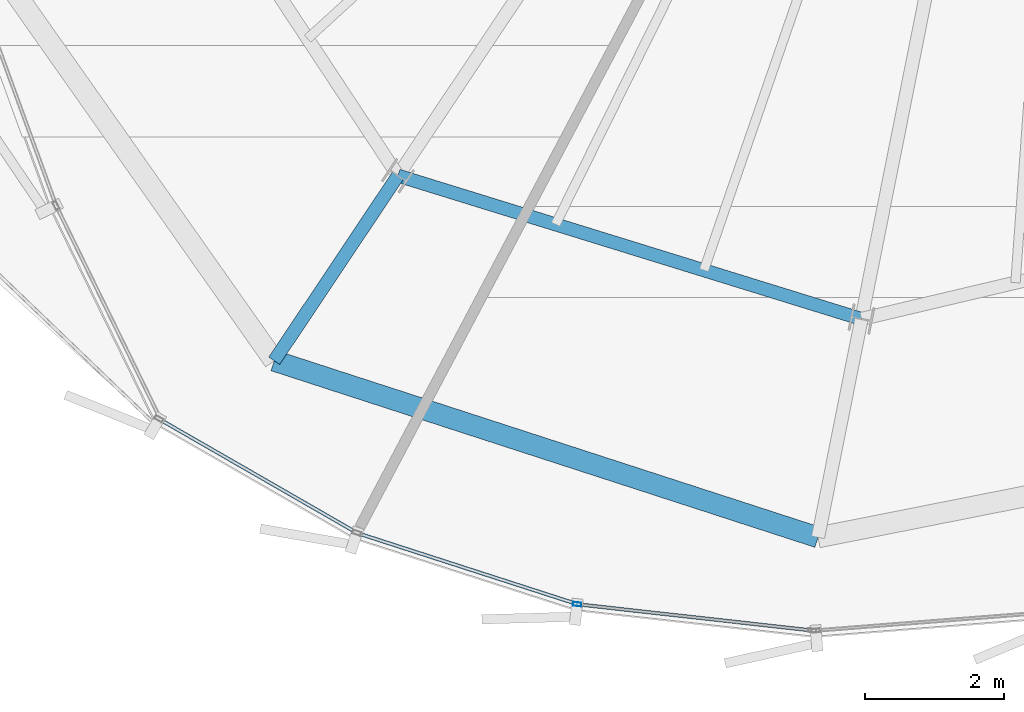
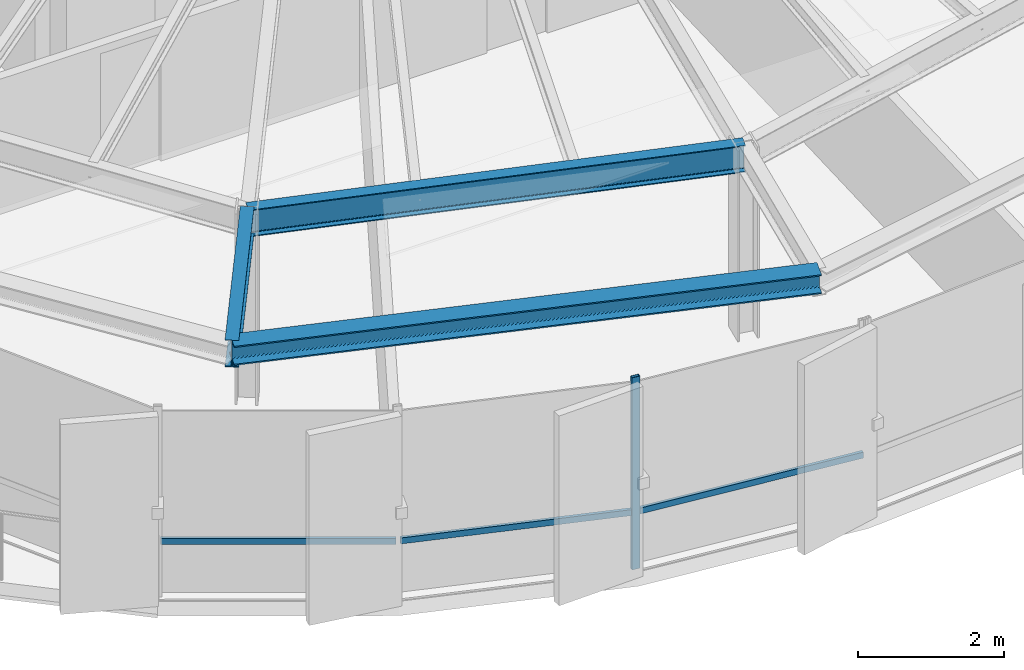
# One storey, part 3 of 32: 4 members, 3 beams, 1 element without a shape of its own.
"""IFC4 building model written with IfcOpenShell, lengths in metres."""

from ifc_helpers import new_model, si_unit, direction, frame, origin, origin_2d, place, context, subcontext, project, spatial, hollow_rectangle, i_section, extrude, source, transform, mapped, material, layer, layer_set, material_profile, profile_set, type_object, element, aggregate, save


model = new_model("IFC4")

# Units and contexts
model_context = context("Model", 3, precision=1e-05, world=origin(), true_north=direction((0.0, 1.0)))
body_context = subcontext(model_context, "Body", "Model", "MODEL_VIEW")
ifc_project = project(units=[si_unit("LENGTHUNIT", "METRE"), si_unit("AREAUNIT", "SQUARE_METRE"), si_unit("VOLUMEUNIT", "CUBIC_METRE"), si_unit("PLANEANGLEUNIT", "RADIAN"), si_unit("MASSUNIT", "GRAM", prefix="KILO"), si_unit("THERMODYNAMICTEMPERATUREUNIT", "KELVIN")], contexts=[model_context])

# Site, building, storey
site_placement = place(None, origin())
site = spatial("IfcSite", under=ifc_project, at=site_placement, CompositionType="ELEMENT")
building_placement = place(site_placement, origin())
building = spatial("IfcBuilding", under=site, at=building_placement, Name="Kethvar Cultural Tower", CompositionType="ELEMENT")
storey_placement = place(building_placement, frame((0.0, 0.0, 252.550048828125)))
storey = spatial("IfcBuildingStorey", under=building, at=storey_placement, Name="L66", CompositionType="ELEMENT", Elevation=252.550048828125)

# Beams
ifc_material_1 = material(Name="Steel S355J2", Category="steel")
ifc_material_profile_1 = material_profile(ifc_material_1, i_section(OverallWidth=0.18994140625, OverallDepth=0.449951171875, WebThickness=0.009521484375, FlangeThickness=0.0146484375, FilletRadius=0.02099609375, at=origin_2d()), Name="Steel S355J2 — IPE450")
ifc_profile_set_1 = profile_set([ifc_material_profile_1], Name="Steel S355J2 — IPE450")
beam_type_1 = type_object("IfcBeamType", Name="BM-IPE450", PredefinedType="BEAM", material=ifc_profile_set_1)
shared_shape_1 = source(origin(), body_context, "Body", "SweptSolid", [
    extrude(i_section(OverallWidth=0.18994140625, OverallDepth=0.449951171875, WebThickness=0.009521484375, FlangeThickness=0.0146484375, FilletRadius=0.02099609375, at=origin_2d()), origin(), (0.0, 0.0, 1.0), 3.199951171875),
])
beam_1_placement = place(storey_placement, frame((36.731201171875, 12.73095703125, 2.98291015625), z_axis=(-0.555580212716, -0.831462943996, 0.0), x_axis=(0.831462943996, -0.555580212716, 0.0)))
element("IfcBeam", 1, at=beam_1_placement, inside=storey, type_object=beam_type_1, Name="L66 Perimeter Cantilever Beam RC-11", PredefinedType="BEAM", context=body_context, shape_type="MappedRepresentation", body=[
    mapped(shared_shape_1, transform((0.0, 0.0, 0.0), scale=1.0)),
])
shared_shape_2 = source(origin(), body_context, "Body", "SweptSolid", [
    extrude(i_section(OverallWidth=0.18994140625, OverallDepth=0.449951171875, WebThickness=0.009521484375, FlangeThickness=0.0146484375, FilletRadius=0.02099609375, at=origin_2d()), origin(), (0.0, 0.0, 1.0), 6.97265625),
])
beam_2_placement = place(storey_placement, frame((36.731201171875, 12.73095703125, 2.98291015625), z_axis=(0.955381444404, -0.295374839295, 0.0), x_axis=(0.295374839295, 0.955381444404, 0.0)))
element("IfcBeam", 2, at=beam_2_placement, inside=storey, type_object=beam_type_1, Name="L66 Column Ring Tie Beam CR-11", PredefinedType="BEAM", context=body_context, shape_type="MappedRepresentation", body=[
    mapped(shared_shape_2, transform((0.0, 0.0, 0.0), scale=1.0)),
])
ifc_material_profile_2 = material_profile(ifc_material_1, i_section(OverallWidth=0.300048828125, OverallDepth=0.320068359375, WebThickness=0.011474609375, FlangeThickness=0.0205078125, FilletRadius=0.027099609375, at=origin_2d()), Name="Steel S355J2 — HEB320")
ifc_profile_set_2 = profile_set([ifc_material_profile_2], Name="Steel S355J2 — HEB320")
beam_type_2 = type_object("IfcBeamType", Name="BM-SP320", PredefinedType="SPANDREL", material=ifc_profile_set_2)
shared_shape_3 = source(origin(), body_context, "Body", "SweptSolid", [
    extrude(i_section(OverallWidth=0.300048828125, OverallDepth=0.320068359375, WebThickness=0.011474609375, FlangeThickness=0.0205078125, FilletRadius=0.027099609375, at=origin_2d()), origin(), (0.0, 0.0, 1.0), 8.216796875),
])
beam_3_placement = place(storey_placement, frame((34.953369140625, 10.0703125, 3.0478515625), z_axis=(0.951117661456, -0.30882874553, 0.0), x_axis=(0.30882874553, 0.951117661456, 0.0)))
element("IfcBeam", 3, at=beam_3_placement, inside=storey, type_object=beam_type_2, Name="L66 Perimeter Spandrel Beam SP-11", PredefinedType="SPANDREL", context=body_context, shape_type="MappedRepresentation", body=[
    mapped(shared_shape_3, transform((0.0, 0.0, 0.0), scale=1.0)),
])

# Curtain wall, members
ifc_material_2 = material(Name="Aluminium 6063-T6", Category="aluminium")
ifc_layer = layer(ifc_material_2, 0.179931640625, Name="Aluminium 6063-T6", Category="aluminium")
ifc_layer_set = layer_set([ifc_layer], Name="Aluminium 6063-T6 (180 mm)")
curtain_wall_type = type_object("IfcCurtainWallType", Name="CW-SYS-05-Z56", PredefinedType="NOTDEFINED", material=ifc_layer_set)
curtain_wall_placement = place(storey_placement, origin())
curtain_wall = element("IfcCurtainWall", 4, at=curtain_wall_placement, inside=storey, type_object=curtain_wall_type, Name="L66 Curtain Wall Run 04", PredefinedType="NOTDEFINED")
ifc_material_profile_3 = material_profile(ifc_material_2, hollow_rectangle(XDim=0.054931640625, YDim=0.1201171875, WallThickness=0.00390625, at=origin_2d()), Name="Aluminium 6063-T6 — RHS120x55x4")
ifc_profile_set_3 = profile_set([ifc_material_profile_3], Name="Aluminium 6063-T6 — RHS120x55x4")
member_type_1 = type_object("IfcMemberType", Name="CW-SYS-05-Z56-MUL", PredefinedType="MULLION", material=ifc_profile_set_3)
shared_shape_4 = source(origin(), body_context, "Body", "SweptSolid", [
    extrude(hollow_rectangle(XDim=0.054931640625, YDim=0.1201171875, WallThickness=0.00390625, at=origin_2d()), origin(), (0.0, 0.0, 1.0), 3.2099609375),
])
member_1_placement = place(storey_placement, frame((39.30615234375, 6.57177734375, 0.0), z_axis=(0.0, 0.0, 1.0), x_axis=(0.11091389014, 0.993830020161, 0.0)))
member_1 = element("IfcMember", 5, at=member_1_placement, type_object=member_type_1, Name="CW-L66-R04 Mullion 6", PredefinedType="MULLION", context=body_context, shape_type="MappedRepresentation", body=[
    mapped(shared_shape_4, transform((0.0, 0.0, 0.0), scale=1.0)),
])
ifc_material_profile_4 = material_profile(ifc_material_2, hollow_rectangle(XDim=0.050048828125, YDim=0.10009765625, WallThickness=0.00390625, at=origin_2d()), Name="Aluminium 6063-T6 — RHS100x50x4")
ifc_profile_set_4 = profile_set([ifc_material_profile_4], Name="Aluminium 6063-T6 — RHS100x50x4")
member_type_2 = type_object("IfcMemberType", Name="CW-SYS-05-Z56-TRN", PredefinedType="USERDEFINED", material=ifc_profile_set_4)
shared_shape_5 = source(origin(), body_context, "Body", "SweptSolid", [
    extrude(hollow_rectangle(XDim=0.050048828125, YDim=0.10009765625, WallThickness=0.00390625, at=origin_2d()), origin(), (0.0, 0.0, 1.0), 3.22119140625),
])
member_2_placement = place(storey_placement, frame((33.332275390625, 9.214111328125, 0.949951171875), z_axis=(0.866817042088, -0.498626328573, 0.0), x_axis=(0.498626328573, 0.866817042088, 0.0)))
member_2 = element("IfcMember", 6, at=member_2_placement, type_object=member_type_2, Name="CW-L66-R04 Transom 4", ObjectType="TRANSOM", PredefinedType="USERDEFINED", context=body_context, shape_type="MappedRepresentation", body=[
    mapped(shared_shape_5, transform((0.0, 0.0, 0.0), scale=1.0)),
])
shared_shape_6 = source(origin(), body_context, "Body", "SweptSolid", [
    extrude(hollow_rectangle(XDim=0.050048828125, YDim=0.10009765625, WallThickness=0.00390625, at=origin_2d()), origin(), (0.0, 0.0, 1.0), 3.268798828125),
])
member_3_placement = place(storey_placement, frame((36.177490234375, 7.58447265625, 0.949951171875), z_axis=(0.951577601486, -0.307408634151, 0.0), x_axis=(0.307408634151, 0.951577601486, 0.0)))
member_3 = element("IfcMember", 7, at=member_3_placement, type_object=member_type_2, Name="CW-L66-R04 Transom 5", ObjectType="TRANSOM", PredefinedType="USERDEFINED", context=body_context, shape_type="MappedRepresentation", body=[
    mapped(shared_shape_6, transform((0.0, 0.0, 0.0), scale=1.0)),
])
shared_shape_7 = source(origin(), body_context, "Body", "SweptSolid", [
    extrude(hollow_rectangle(XDim=0.050048828125, YDim=0.10009765625, WallThickness=0.00390625, at=origin_2d()), origin(), (0.0, 0.0, 1.0), 3.356201171875),
])
member_4_placement = place(storey_placement, frame((39.345458984375, 6.5673828125, 0.949951171875), z_axis=(0.993835736226, -0.11086266008, 0.0), x_axis=(0.11086266008, 0.993835736226, 0.0)))
member_4 = element("IfcMember", 8, at=member_4_placement, type_object=member_type_2, Name="CW-L66-R04 Transom 6", ObjectType="TRANSOM", PredefinedType="USERDEFINED", context=body_context, shape_type="MappedRepresentation", body=[
    mapped(shared_shape_7, transform((0.0, 0.0, 0.0), scale=1.0)),
])
aggregate(curtain_wall, [member_1, member_2, member_3, member_4])

save(model, "model.ifc")
